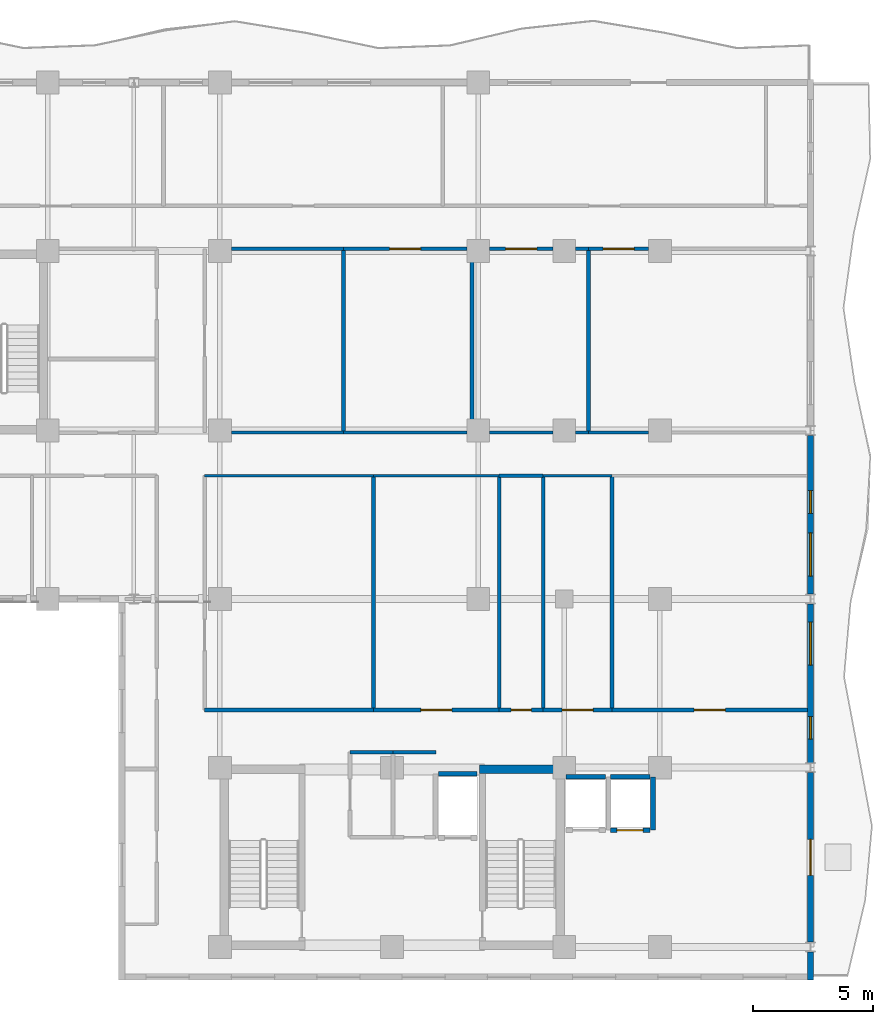
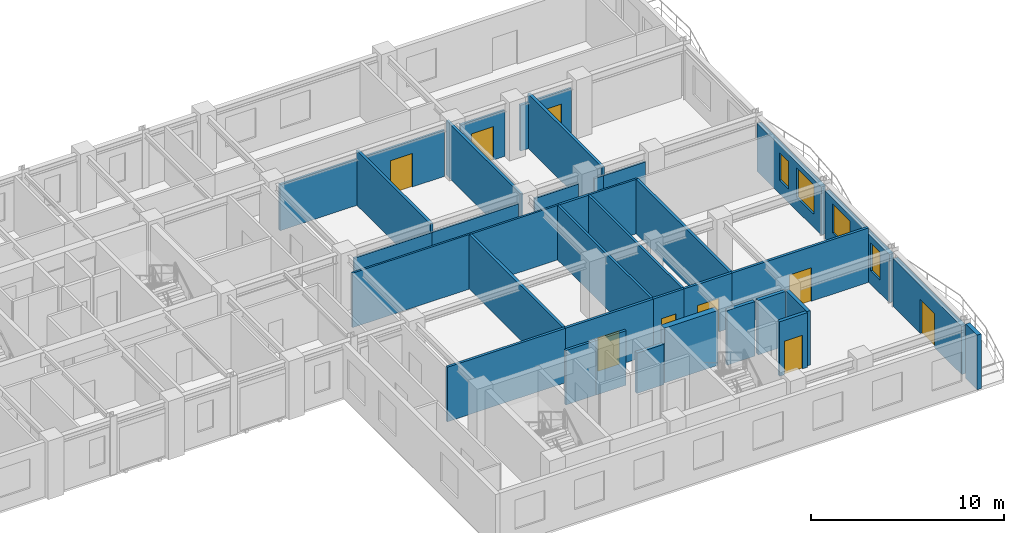
# One storey, part 8 of 13: 38 walls, 9 doors, 4 windows, 13 openings.
"""IFC4 building model written with IfcOpenShell, lengths in metres."""

from ifc_helpers import new_model, si_unit, direction, frame, frame_2d, origin, place, context, subcontext, project, spatial, rectangle, extrude, material, layer, layer_set, type_object, element, fill, save


model = new_model("IFC4")

# Units and contexts
model_context = context("Model", 3, precision=1e-05, world=origin(), true_north=direction((0.0, 1.0)))
body_context = subcontext(model_context, "Body", "Model", "MODEL_VIEW")
ifc_project = project(units=[si_unit("LENGTHUNIT", "METRE"), si_unit("AREAUNIT", "SQUARE_METRE"), si_unit("VOLUMEUNIT", "CUBIC_METRE"), si_unit("PLANEANGLEUNIT", "RADIAN"), si_unit("MASSUNIT", "GRAM", prefix="KILO")], contexts=[model_context])

# Site, building, storey
site_placement = place(None, origin())
site = spatial("IfcSite", under=ifc_project, at=site_placement, CompositionType="ELEMENT")
building_placement = place(site_placement, origin())
building = spatial("IfcBuilding", under=site, at=building_placement, Name="Kaliganga Portal Commons", CompositionType="ELEMENT")
storey_placement = place(building_placement, frame((0.0, 0.0, 212.89990234375)))
storey = spatial("IfcBuildingStorey", under=building, at=storey_placement, Name="L54", CompositionType="ELEMENT", Elevation=212.89990234375)

# Walls
ifc_material_1 = material(Name="Concrete C50/60", Category="concrete")
ifc_layer_1 = layer(ifc_material_1, 0.35009765625)
ifc_layer_set_1 = layer_set([ifc_layer_1], Name="Concrete C50/60")
wall_type_1 = type_object("IfcWallType", Name="WL-CORE-350", PredefinedType="SHEAR", material=ifc_layer_set_1)
wall_1_placement = place(storey_placement, frame((46.85009765625, 14.47509765625, 0.0), z_axis=(0.0, 0.0, 1.0), x_axis=(1.0, 0.0, 0.0)))
element("IfcWall", 1, at=wall_1_placement, inside=storey, type_object=wall_type_1, Name="Core B N-East Shear Wall L54", PredefinedType="SHEAR", context=body_context, shape_type="SweptSolid", body=[
    extrude(rectangle(XDim=3.199951171875, YDim=0.35009765625, at=frame_2d((1.60009765625, 0.0))), origin(), (0.0, 0.0, 1.0), 3.47021484375),
])
ifc_material_2 = material(Name="Insulated Aluminium-Clad Spandrel Assembly", Category="aluminium")
ifc_layer_2 = layer(ifc_material_2, 0.260009765625)
ifc_layer_set_2 = layer_set([ifc_layer_2], Name="Insulated Aluminium-Clad Spandrel Assembly")
wall_type_2 = type_object("IfcWallType", Name="WL-EXT-SPAND-260", PredefinedType="STANDARD", material=ifc_layer_set_2)
wall_2_placement = place(storey_placement, frame((60.699951171875, 6.84912109375, 0.0), z_axis=(0.0, 0.0, 1.0), x_axis=(0.0, -1.0, 0.0)))
element("IfcWall", 2, at=wall_2_placement, inside=storey, type_object=wall_type_2, Name="Exterior Envelope Wall L54 P1-E01-S1", PredefinedType="STANDARD", context=body_context, shape_type="SweptSolid", body=[
    extrude(rectangle(XDim=1.17919921875, YDim=0.260009765625, at=frame_2d((0.589599609375, 0.0))), origin(), (0.0, 0.0, 1.0), 3.4501953125),
])

# Wall, opening, door
wall_3_placement = place(storey_placement, frame((60.699951171875, 14.34912109375, 0.0), z_axis=(0.0, 0.0, 1.0), x_axis=(0.0, -1.0, 0.0)))
wall_3 = element("IfcWall", 3, at=wall_3_placement, inside=storey, type_object=wall_type_2, Name="Exterior Envelope Wall L54 P1-E01-S2", PredefinedType="STANDARD", context=body_context, shape_type="SweptSolid", body=[
    extrude(rectangle(XDim=7.09814453125, YDim=0.260009765625, at=frame_2d((3.549072265625, 0.0))), origin(), (0.0, 0.0, 1.0), 3.050048828125),
])
opening_1_placement = place(wall_3_placement, frame((2.799072265625, 0.0, 0.0)))
opening_1 = element("IfcOpeningElement", 4, at=opening_1_placement, cuts=wall_3, Name="Opening BD-01", PredefinedType="OPENING", context=body_context, shape_type="SweptSolid", body=[
    extrude(rectangle(XDim=1.5, YDim=2.14990234375, at=frame_2d((0.75, 1.074951171875))), frame((0.0, 0.14013671875, 0.0), z_axis=(0.0, -1.0, 0.0), x_axis=(1.0, 0.0, 0.0)), (0.0, 0.0, 1.0), 0.280029296875),
])
ifc_material_3 = material(Name="Anodized Aluminium and Laminated Safety Glass", Category="aluminium")
door_type_1 = type_object("IfcDoorType", Name="DR-BALC-1500", OperationType="SLIDING_TO_LEFT", PredefinedType="DOOR", material=ifc_material_3)
door_1_placement = place(opening_1_placement, origin())
door_1 = element("IfcDoor", 5, at=door_1_placement, inside=storey, type_object=door_type_1, Name="Balcony Sliding Door L54 balc_east", OperationType="SLIDING_TO_LEFT", OverallHeight=2.14990234375, OverallWidth=1.5, PredefinedType="DOOR", context=body_context, shape_type="SweptSolid", body=[
    extrude(rectangle(XDim=1.5, YDim=2.14990234375, at=frame_2d((0.75, 1.074951171875))), frame((0.0, 0.02490234375, 0.0), z_axis=(0.0, -1.0, 0.0), x_axis=(1.0, 0.0, 0.0)), (0.0, 0.0, 1.0), 0.050048828125),
])
fill(opening_1, door_1)

# Wall, openings, windows
wall_4_placement = place(storey_placement, frame((60.699951171875, 21.39892578125, 0.0), z_axis=(0.0, 0.0, 1.0), x_axis=(0.0, -1.0, 0.0)))
wall_4 = element("IfcWall", 6, at=wall_4_placement, inside=storey, type_object=wall_type_2, Name="Exterior Envelope Wall L54 P1-E01-S3", PredefinedType="STANDARD", context=body_context, shape_type="SweptSolid", body=[
    extrude(rectangle(XDim=6.64794921875, YDim=0.260009765625, at=frame_2d((3.323974609375, 0.0))), origin(), (0.0, 0.0, 1.0), 3.050048828125),
])
opening_2_placement = place(wall_4_placement, frame((0.761962890625, 0.0, 0.85009765625)))
opening_2 = element("IfcOpeningElement", 7, at=opening_2_placement, cuts=wall_4, Name="Opening W-01", PredefinedType="OPENING", context=body_context, shape_type="SweptSolid", body=[
    extrude(rectangle(XDim=1.800048828125, YDim=1.85009765625, at=frame_2d((0.89990234375, 0.925048828125))), frame((0.0, 0.14013671875, 0.0), z_axis=(0.0, -1.0, 0.0), x_axis=(1.0, 0.0, 0.0)), (0.0, 0.0, 1.0), 0.280029296875),
])
opening_3_placement = place(wall_4_placement, frame((4.71044921875, 0.0, 0.85009765625)))
opening_3 = element("IfcOpeningElement", 8, at=opening_3_placement, cuts=wall_4, Name="Opening W-04", PredefinedType="OPENING", context=body_context, shape_type="SweptSolid", body=[
    extrude(rectangle(XDim=0.949951171875, YDim=1.75, at=frame_2d((0.47509765625, 0.875))), frame((0.0, 0.14013671875, 0.0), z_axis=(0.0, -1.0, 0.0), x_axis=(1.0, 0.0, 0.0)), (0.0, 0.0, 1.0), 0.280029296875),
])
ifc_material_4 = material(Name="Thermally Broken Aluminium and Low-E Double Glazing", Category="aluminium")
window_type_1 = type_object("IfcWindowType", Name="WIN-NARROW-950", PartitioningType="SINGLE_PANEL", PredefinedType="WINDOW", material=ifc_material_4)
window_1_placement = place(opening_3_placement, origin())
window_1 = element("IfcWindow", 9, at=window_1_placement, inside=storey, type_object=window_type_1, Name="Facade Window L54-P1E01S3-N10", OverallHeight=1.75, OverallWidth=0.949951171875, PartitioningType="SINGLE_PANEL", PredefinedType="WINDOW", context=body_context, shape_type="SweptSolid", body=[
    extrude(rectangle(XDim=0.949951171875, YDim=1.75, at=frame_2d((0.47509765625, 0.875))), frame((0.0, 0.030029296875, 0.0), z_axis=(0.0, -1.0, 0.0), x_axis=(1.0, 0.0, 0.0)), (0.0, 0.0, 1.0), 0.06005859375),
])
fill(opening_3, window_1)
window_type_2 = type_object("IfcWindowType", Name="WIN-STD-1800", PartitioningType="DOUBLE_PANEL_VERTICAL", PredefinedType="WINDOW", material=ifc_material_4)
window_2_placement = place(opening_2_placement, origin())
window_2 = element("IfcWindow", 10, at=window_2_placement, inside=storey, type_object=window_type_2, Name="Facade Window L54-P1E01S3-00", OverallHeight=1.85009765625, OverallWidth=1.800048828125, PartitioningType="SINGLE_PANEL", PredefinedType="WINDOW", context=body_context, shape_type="SweptSolid", body=[
    extrude(rectangle(XDim=1.800048828125, YDim=1.85009765625, at=frame_2d((0.89990234375, 0.925048828125))), frame((0.0, 0.030029296875, 0.0), z_axis=(0.0, -1.0, 0.0), x_axis=(1.0, 0.0, 0.0)), (0.0, 0.0, 1.0), 0.06005859375),
])
fill(opening_2, window_2)

wall_5_placement = place(storey_placement, frame((60.699951171875, 28.448974609375, 0.0), z_axis=(0.0, 0.0, 1.0), x_axis=(0.0, -1.0, 0.0)))
wall_5 = element("IfcWall", 11, at=wall_5_placement, inside=storey, type_object=wall_type_2, Name="Exterior Envelope Wall L54 P1-E01-S4", PredefinedType="STANDARD", context=body_context, shape_type="SweptSolid", body=[
    extrude(rectangle(XDim=6.64794921875, YDim=0.260009765625, at=frame_2d((3.323974609375, 0.0))), origin(), (0.0, 0.0, 1.0), 3.050048828125),
])
opening_4_placement = place(wall_5_placement, frame((4.0859375, 0.0, 0.85009765625)))
opening_4 = element("IfcOpeningElement", 12, at=opening_4_placement, cuts=wall_5, Name="Opening W-01", PredefinedType="OPENING", context=body_context, shape_type="SweptSolid", body=[
    extrude(rectangle(XDim=1.800048828125, YDim=1.85009765625, at=frame_2d((0.89990234375, 0.925048828125))), frame((0.0, 0.14013671875, 0.0), z_axis=(0.0, -1.0, 0.0), x_axis=(1.0, 0.0, 0.0)), (0.0, 0.0, 1.0), 0.280029296875),
])
opening_5_placement = place(wall_5_placement, frame((2.317138671875, 0.0, 0.85009765625)))
opening_5 = element("IfcOpeningElement", 13, at=opening_5_placement, cuts=wall_5, Name="Opening W-04", PredefinedType="OPENING", context=body_context, shape_type="SweptSolid", body=[
    extrude(rectangle(XDim=0.949951171875, YDim=1.75, at=frame_2d((0.47509765625, 0.875))), frame((0.0, 0.14013671875, 0.0), z_axis=(0.0, -1.0, 0.0), x_axis=(1.0, 0.0, 0.0)), (0.0, 0.0, 1.0), 0.280029296875),
])
window_3_placement = place(opening_5_placement, origin())
window_3 = element("IfcWindow", 14, at=window_3_placement, inside=storey, type_object=window_type_1, Name="Facade Window L54-P1E01S4-N5", OverallHeight=1.75, OverallWidth=0.949951171875, PartitioningType="SINGLE_PANEL", PredefinedType="WINDOW", context=body_context, shape_type="SweptSolid", body=[
    extrude(rectangle(XDim=0.949951171875, YDim=1.75, at=frame_2d((0.47509765625, 0.875))), frame((0.0, 0.030029296875, 0.0), z_axis=(0.0, -1.0, 0.0), x_axis=(1.0, 0.0, 0.0)), (0.0, 0.0, 1.0), 0.06005859375),
])
fill(opening_5, window_3)
window_4_placement = place(opening_4_placement, origin())
window_4 = element("IfcWindow", 15, at=window_4_placement, inside=storey, type_object=window_type_2, Name="Facade Window L54-P1E01S4-01", OverallHeight=1.85009765625, OverallWidth=1.800048828125, PartitioningType="SINGLE_PANEL", PredefinedType="WINDOW", context=body_context, shape_type="SweptSolid", body=[
    extrude(rectangle(XDim=1.800048828125, YDim=1.85009765625, at=frame_2d((0.89990234375, 0.925048828125))), frame((0.0, 0.030029296875, 0.0), z_axis=(0.0, -1.0, 0.0), x_axis=(1.0, 0.0, 0.0)), (0.0, 0.0, 1.0), 0.06005859375),
])
fill(opening_4, window_4)

# Wall, opening, door
ifc_material_5 = material(Name="Fire-Rated Gypsum Board on Steel Stud", Category="steel")
ifc_layer_3 = layer(ifc_material_5, 0.14990234375)
ifc_layer_set_3 = layer_set([ifc_layer_3], Name="Fire-Rated Gypsum Board on Steel Stud")
wall_type_3 = type_object("IfcWallType", Name="WL-PART-CORR-150", PredefinedType="PARTITIONING", material=ifc_layer_set_3)
wall_6_placement = place(storey_placement, frame((51.419921875, 36.239990234375, 0.0), z_axis=(0.0, 0.0, 1.0), x_axis=(1.0, 0.0, 0.0)))
wall_6 = element("IfcWall", 16, at=wall_6_placement, inside=storey, type_object=wall_type_3, Name="Interior Partition L54-009", PredefinedType="PARTITIONING", context=body_context, shape_type="SweptSolid", body=[
    extrude(rectangle(XDim=2.505126953125, YDim=0.14990234375, at=frame_2d((1.25244140625, 0.0))), origin(), (0.0, 0.0, 1.0), 2.900146484375),
])
opening_6_placement = place(wall_6_placement, frame((0.6025390625, 0.0, 0.0)))
opening_6 = element("IfcOpeningElement", 17, at=opening_6_placement, cuts=wall_6, Name="Opening RD-03", PredefinedType="OPENING", context=body_context, shape_type="SweptSolid", body=[
    extrude(rectangle(XDim=1.300048828125, YDim=2.1201171875, at=frame_2d((0.64990234375, 1.06005859375))), frame((0.0, 0.0849609375, 0.0), z_axis=(0.0, -1.0, 0.0), x_axis=(1.0, 0.0, 0.0)), (0.0, 0.0, 1.0), 0.169921875),
])
ifc_material_6 = material(Name="Glazed Timber Seminar Vision Door", Category="wood")
door_type_2 = type_object("IfcDoorType", Name="DR-STUDY-1300", OperationType="DOUBLE_DOOR_SINGLE_SWING", PredefinedType="DOOR", material=ifc_material_6)
door_2_placement = place(opening_6_placement, origin())
door_2 = element("IfcDoor", 18, at=door_2_placement, inside=storey, type_object=door_type_2, Name="Interior Door L54-BK04", OperationType="DOUBLE_DOOR_SINGLE_SWING", OverallHeight=2.1201171875, OverallWidth=1.300048828125, PredefinedType="DOOR", context=body_context, shape_type="SweptSolid", body=[
    extrude(rectangle(XDim=1.300048828125, YDim=2.1201171875, at=frame_2d((0.64990234375, 1.06005859375))), frame((0.0, 0.02490234375, 0.0), z_axis=(0.0, -1.0, 0.0), x_axis=(1.0, 0.0, 0.0)), (0.0, 0.0, 1.0), 0.050048828125),
])
fill(opening_6, door_2)

wall_7_placement = place(storey_placement, frame((52.39990234375, 16.9599609375, 0.0), z_axis=(0.0, 0.0, 1.0), x_axis=(1.0, 0.0, 0.0)))
wall_7 = element("IfcWall", 19, at=wall_7_placement, inside=storey, type_object=wall_type_3, Name="Interior Partition L54-012", PredefinedType="PARTITIONING", context=body_context, shape_type="SweptSolid", body=[
    extrude(rectangle(XDim=8.168212890625, YDim=0.14990234375, at=frame_2d((4.083984375, 0.0))), origin(), (0.0, 0.0, 1.0), 3.4501953125),
])
opening_7_placement = place(wall_7_placement, frame((3.43408203125, 0.0, 0.0)))
opening_7 = element("IfcOpeningElement", 20, at=opening_7_placement, cuts=wall_7, Name="Opening RD-03", PredefinedType="OPENING", context=body_context, shape_type="SweptSolid", body=[
    extrude(rectangle(XDim=1.300048828125, YDim=2.1201171875, at=frame_2d((0.64990234375, 1.06005859375))), frame((0.0, 0.0849609375, 0.0), z_axis=(0.0, -1.0, 0.0), x_axis=(1.0, 0.0, 0.0)), (0.0, 0.0, 1.0), 0.169921875),
])
door_3_placement = place(opening_7_placement, origin())
door_3 = element("IfcDoor", 21, at=door_3_placement, inside=storey, type_object=door_type_2, Name="Interior Door L54-BM04B", OperationType="DOUBLE_DOOR_SINGLE_SWING", OverallHeight=2.1201171875, OverallWidth=1.300048828125, PredefinedType="DOOR", context=body_context, shape_type="SweptSolid", body=[
    extrude(rectangle(XDim=1.300048828125, YDim=2.1201171875, at=frame_2d((0.64990234375, 1.06005859375))), frame((0.0, 0.02490234375, 0.0), z_axis=(0.0, -1.0, 0.0), x_axis=(1.0, 0.0, 0.0)), (0.0, 0.0, 1.0), 0.050048828125),
])
fill(opening_7, door_3)

# Walls
wall_8_placement = place(storey_placement, frame((35.360107421875, 16.9599609375, 0.0), z_axis=(0.0, 0.0, 1.0), x_axis=(1.0, 0.0, 0.0)))
element("IfcWall", 22, at=wall_8_placement, inside=storey, type_object=wall_type_3, Name="Interior Partition L54-016", PredefinedType="PARTITIONING", context=body_context, shape_type="SweptSolid", body=[
    extrude(rectangle(XDim=7.059814453125, YDim=0.14990234375, at=frame_2d((3.52978515625, 0.0))), origin(), (0.0, 0.0, 1.0), 3.4501953125),
])
wall_9_placement = place(storey_placement, frame((36.47509765625, 36.239990234375, 0.0), z_axis=(0.0, 0.0, 1.0), x_axis=(1.0, 0.0, 0.0)))
element("IfcWall", 23, at=wall_9_placement, inside=storey, type_object=wall_type_3, Name="Interior Partition L54-020", PredefinedType="PARTITIONING", context=body_context, shape_type="SweptSolid", body=[
    extrude(rectangle(XDim=4.684814453125, YDim=0.14990234375, at=frame_2d((2.34228515625, 0.0))), origin(), (0.0, 0.0, 1.0), 2.900146484375),
])

# Wall, opening, door
wall_10_placement = place(storey_placement, frame((41.159912109375, 36.239990234375, 0.0), z_axis=(0.0, 0.0, 1.0), x_axis=(1.0, 0.0, 0.0)))
wall_10 = element("IfcWall", 24, at=wall_10_placement, inside=storey, type_object=wall_type_3, Name="Interior Partition L54-022", PredefinedType="PARTITIONING", context=body_context, shape_type="SweptSolid", body=[
    extrude(rectangle(XDim=5.1650390625, YDim=0.14990234375, at=frame_2d((2.58251953125, 0.0))), origin(), (0.0, 0.0, 1.0), 2.900146484375),
])
opening_8_placement = place(wall_10_placement, frame((1.9326171875, 0.0, 0.0)))
opening_8 = element("IfcOpeningElement", 25, at=opening_8_placement, cuts=wall_10, Name="Opening RD-03", PredefinedType="OPENING", context=body_context, shape_type="SweptSolid", body=[
    extrude(rectangle(XDim=1.300048828125, YDim=2.1201171875, at=frame_2d((0.64990234375, 1.06005859375))), frame((0.0, 0.0849609375, 0.0), z_axis=(0.0, -1.0, 0.0), x_axis=(1.0, 0.0, 0.0)), (0.0, 0.0, 1.0), 0.169921875),
])
door_4_placement = place(opening_8_placement, origin())
door_4 = element("IfcDoor", 26, at=door_4_placement, inside=storey, type_object=door_type_2, Name="Interior Door L54-BK02", OperationType="DOUBLE_DOOR_SINGLE_SWING", OverallHeight=2.1201171875, OverallWidth=1.300048828125, PredefinedType="DOOR", context=body_context, shape_type="SweptSolid", body=[
    extrude(rectangle(XDim=1.300048828125, YDim=2.1201171875, at=frame_2d((0.64990234375, 1.06005859375))), frame((0.0, 0.02490234375, 0.0), z_axis=(0.0, -1.0, 0.0), x_axis=(1.0, 0.0, 0.0)), (0.0, 0.0, 1.0), 0.050048828125),
])
fill(opening_8, door_4)

wall_11_placement = place(storey_placement, frame((42.419921875, 16.9599609375, 0.0), z_axis=(0.0, 0.0, 1.0), x_axis=(1.0, 0.0, 0.0)))
wall_11 = element("IfcWall", 27, at=wall_11_placement, inside=storey, type_object=wall_type_3, Name="Interior Partition L54-023", PredefinedType="PARTITIONING", context=body_context, shape_type="SweptSolid", body=[
    extrude(rectangle(XDim=5.260009765625, YDim=0.14990234375, at=frame_2d((2.6298828125, 0.0))), origin(), (0.0, 0.0, 1.0), 3.4501953125),
])
opening_9_placement = place(wall_11_placement, frame((1.97998046875, 0.0, 0.0)))
opening_9 = element("IfcOpeningElement", 28, at=opening_9_placement, cuts=wall_11, Name="Opening RD-03", PredefinedType="OPENING", context=body_context, shape_type="SweptSolid", body=[
    extrude(rectangle(XDim=1.300048828125, YDim=2.1201171875, at=frame_2d((0.64990234375, 1.06005859375))), frame((0.0, 0.0849609375, 0.0), z_axis=(0.0, -1.0, 0.0), x_axis=(1.0, 0.0, 0.0)), (0.0, 0.0, 1.0), 0.169921875),
])
door_5_placement = place(opening_9_placement, origin())
door_5 = element("IfcDoor", 29, at=door_5_placement, inside=storey, type_object=door_type_2, Name="Interior Door L54-BM02", OperationType="DOUBLE_DOOR_SINGLE_SWING", OverallHeight=2.1201171875, OverallWidth=1.300048828125, PredefinedType="DOOR", context=body_context, shape_type="SweptSolid", body=[
    extrude(rectangle(XDim=1.300048828125, YDim=2.1201171875, at=frame_2d((0.64990234375, 1.06005859375))), frame((0.0, 0.02490234375, 0.0), z_axis=(0.0, -1.0, 0.0), x_axis=(1.0, 0.0, 0.0)), (0.0, 0.0, 1.0), 0.050048828125),
])
fill(opening_9, door_5)

wall_12_placement = place(storey_placement, frame((47.27490234375, 36.239990234375, 0.0), z_axis=(0.0, 0.0, 1.0), x_axis=(1.0, 0.0, 0.0)))
wall_12 = element("IfcWall", 30, at=wall_12_placement, inside=storey, type_object=wall_type_3, Name="Interior Partition L54-026", PredefinedType="PARTITIONING", context=body_context, shape_type="SweptSolid", body=[
    extrude(rectangle(XDim=2.650146484375, YDim=0.14990234375, at=frame_2d((1.3251953125, 0.0))), origin(), (0.0, 0.0, 1.0), 2.900146484375),
])
opening_10_placement = place(wall_12_placement, frame((0.675048828125, 0.0, 0.0)))
opening_10 = element("IfcOpeningElement", 31, at=opening_10_placement, cuts=wall_12, Name="Opening RD-03", PredefinedType="OPENING", context=body_context, shape_type="SweptSolid", body=[
    extrude(rectangle(XDim=1.300048828125, YDim=2.1201171875, at=frame_2d((0.64990234375, 1.06005859375))), frame((0.0, 0.0849609375, 0.0), z_axis=(0.0, -1.0, 0.0), x_axis=(1.0, 0.0, 0.0)), (0.0, 0.0, 1.0), 0.169921875),
])
door_6_placement = place(opening_10_placement, origin())
door_6 = element("IfcDoor", 32, at=door_6_placement, inside=storey, type_object=door_type_2, Name="Interior Door L54-BK03", OperationType="DOUBLE_DOOR_SINGLE_SWING", OverallHeight=2.1201171875, OverallWidth=1.300048828125, PredefinedType="DOOR", context=body_context, shape_type="SweptSolid", body=[
    extrude(rectangle(XDim=1.300048828125, YDim=2.1201171875, at=frame_2d((0.64990234375, 1.06005859375))), frame((0.0, 0.02490234375, 0.0), z_axis=(0.0, -1.0, 0.0), x_axis=(1.0, 0.0, 0.0)), (0.0, 0.0, 1.0), 0.050048828125),
])
fill(opening_10, door_6)

# Wall
wall_13_placement = place(storey_placement, frame((50.875, 36.239990234375, 0.0), z_axis=(0.0, 0.0, 1.0), x_axis=(1.0, 0.0, 0.0)))
element("IfcWall", 33, at=wall_13_placement, inside=storey, type_object=wall_type_3, Name="Interior Partition L54-027", PredefinedType="PARTITIONING", context=body_context, shape_type="SweptSolid", body=[
    extrude(rectangle(XDim=0.544921875, YDim=0.14990234375, at=frame_2d((0.2724609375, 0.0))), origin(), (0.0, 0.0, 1.0), 2.900146484375),
])

# Wall, opening, door
wall_14_placement = place(storey_placement, frame((49.52001953125, 16.9599609375, 0.0), z_axis=(0.0, 0.0, 1.0), x_axis=(1.0, 0.0, 0.0)))
wall_14 = element("IfcWall", 34, at=wall_14_placement, inside=storey, type_object=wall_type_3, Name="Interior Partition L54-034", PredefinedType="PARTITIONING", context=body_context, shape_type="SweptSolid", body=[
    extrude(rectangle(XDim=2.8798828125, YDim=0.14990234375, at=frame_2d((1.43994140625, 0.0))), origin(), (0.0, 0.0, 1.0), 3.4501953125),
])
opening_11_placement = place(wall_14_placement, frame((0.7900390625, 0.0, 0.0)))
opening_11 = element("IfcOpeningElement", 35, at=opening_11_placement, cuts=wall_14, Name="Opening RD-03", PredefinedType="OPENING", context=body_context, shape_type="SweptSolid", body=[
    extrude(rectangle(XDim=1.300048828125, YDim=2.1201171875, at=frame_2d((0.64990234375, 1.06005859375))), frame((0.0, 0.0849609375, 0.0), z_axis=(0.0, -1.0, 0.0), x_axis=(1.0, 0.0, 0.0)), (0.0, 0.0, 1.0), 0.169921875),
])
door_7_placement = place(opening_11_placement, origin())
door_7 = element("IfcDoor", 36, at=door_7_placement, inside=storey, type_object=door_type_2, Name="Interior Door L54-BM04", OperationType="DOUBLE_DOOR_SINGLE_SWING", OverallHeight=2.1201171875, OverallWidth=1.300048828125, PredefinedType="DOOR", context=body_context, shape_type="SweptSolid", body=[
    extrude(rectangle(XDim=1.300048828125, YDim=2.1201171875, at=frame_2d((0.64990234375, 1.06005859375))), frame((0.0, 0.02490234375, 0.0), z_axis=(0.0, -1.0, 0.0), x_axis=(1.0, 0.0, 0.0)), (0.0, 0.0, 1.0), 0.050048828125),
])
fill(opening_11, door_7)

wall_15_placement = place(storey_placement, frame((47.679931640625, 16.9599609375, 0.0), z_axis=(0.0, 0.0, 1.0), x_axis=(1.0, 0.0, 0.0)))
wall_15 = element("IfcWall", 37, at=wall_15_placement, inside=storey, type_object=wall_type_3, Name="Interior Partition L54-043", PredefinedType="PARTITIONING", context=body_context, shape_type="SweptSolid", body=[
    extrude(rectangle(XDim=1.840087890625, YDim=0.14990234375, at=frame_2d((0.919921875, 0.0))), origin(), (0.0, 0.0, 1.0), 3.4501953125),
])
opening_12_placement = place(wall_15_placement, frame((0.4951171875, 0.0, 0.0)))
opening_12 = element("IfcOpeningElement", 38, at=opening_12_placement, cuts=wall_15, Name="Opening WD-01", PredefinedType="OPENING", context=body_context, shape_type="SweptSolid", body=[
    extrude(rectangle(XDim=0.85009765625, YDim=2.0400390625, at=frame_2d((0.425048828125, 1.02001953125))), frame((0.0, 0.0849609375, 0.0), z_axis=(0.0, -1.0, 0.0), x_axis=(1.0, 0.0, 0.0)), (0.0, 0.0, 1.0), 0.169921875),
])
ifc_material_7 = material(Name="Moisture-Resistant Laminate Timber Door", Category="wood")
door_type_3 = type_object("IfcDoorType", Name="DR-WET-850", OperationType="NOTDEFINED", PredefinedType="DOOR", material=ifc_material_7)
door_8_placement = place(opening_12_placement, origin())
door_8 = element("IfcDoor", 39, at=door_8_placement, inside=storey, type_object=door_type_3, Name="Interior Door L54-BM03", OperationType="SINGLE_SWING_LEFT", OverallHeight=2.0400390625, OverallWidth=0.85009765625, PredefinedType="DOOR", context=body_context, shape_type="SweptSolid", body=[
    extrude(rectangle(XDim=0.85009765625, YDim=2.0400390625, at=frame_2d((0.425048828125, 1.02001953125))), frame((0.0, 0.02490234375, 0.0), z_axis=(0.0, -1.0, 0.0), x_axis=(1.0, 0.0, 0.0)), (0.0, 0.0, 1.0), 0.050048828125),
])
fill(opening_12, door_8)

# Walls
for number, where, z_axis, x_axis, name in (
    (40, (41.43994140625, 15.199951171875, 0.0), (0.0, 0.0, 1.0), (1.0, 0.0, 0.0), "Interior Partition L54-045"),
    (41, (43.239990234375, 15.199951171875, 0.0), (0.0, 0.0, 1.0), (1.0, 0.0, 0.0), "Interior Partition L54-047"),
):
    element("IfcWall", number, at=place(storey_placement, frame(where, z_axis=z_axis, x_axis=x_axis)), inside=storey, type_object=wall_type_3, Name=name, PredefinedType="PARTITIONING", context=body_context, shape_type="SweptSolid", body=[
        extrude(rectangle(XDim=1.800048828125, YDim=0.14990234375, at=frame_2d((0.89990234375, 0.0))), origin(), (0.0, 0.0, 1.0), 3.4501953125),
    ])
ifc_material_8 = material(Name="Moisture-Resistant Gypsum Partition", Category="gypsum")
ifc_layer_4 = layer(ifc_material_8, 0.114990234375)
ifc_layer_set_4 = layer_set([ifc_layer_4], Name="Moisture-Resistant Gypsum Partition")
wall_type_4 = type_object("IfcWallType", Name="WL-PART-ROOM-115", PredefinedType="PARTITIONING", material=ifc_layer_set_4)
wall_16_placement = place(storey_placement, frame((51.419921875, 28.56005859375, 0.0), z_axis=(0.0, 0.0, 1.0), x_axis=(1.0, 0.0, 0.0)))
element("IfcWall", 42, at=wall_16_placement, inside=storey, type_object=wall_type_4, Name="Interior Partition L54-053", PredefinedType="PARTITIONING", context=body_context, shape_type="SweptSolid", body=[
    extrude(rectangle(XDim=2.505126953125, YDim=0.114990234375, at=frame_2d((1.25244140625, 0.0))), origin(), (0.0, 0.0, 1.0), 2.900146484375),
])
wall_17_placement = place(storey_placement, frame((35.360107421875, 26.760009765625, 0.0), z_axis=(0.0, 0.0, 1.0), x_axis=(1.0, 0.0, 0.0)))
element("IfcWall", 43, at=wall_17_placement, inside=storey, type_object=wall_type_4, Name="Interior Partition L54-059", PredefinedType="PARTITIONING", context=body_context, shape_type="SweptSolid", body=[
    extrude(rectangle(XDim=7.059814453125, YDim=0.114990234375, at=frame_2d((3.52978515625, 0.0))), origin(), (0.0, 0.0, 1.0), 3.4501953125),
])
wall_18_placement = place(storey_placement, frame((36.47509765625, 28.56005859375, 0.0), z_axis=(0.0, 0.0, 1.0), x_axis=(1.0, 0.0, 0.0)))
element("IfcWall", 44, at=wall_18_placement, inside=storey, type_object=wall_type_4, Name="Interior Partition L54-060", PredefinedType="PARTITIONING", context=body_context, shape_type="SweptSolid", body=[
    extrude(rectangle(XDim=4.684814453125, YDim=0.114990234375, at=frame_2d((2.34228515625, 0.0))), origin(), (0.0, 0.0, 1.0), 2.900146484375),
])
wall_19_placement = place(storey_placement, frame((41.159912109375, 28.56005859375, 0.0), z_axis=(0.0, 0.0, 1.0), x_axis=(1.0, 0.0, 0.0)))
element("IfcWall", 45, at=wall_19_placement, inside=storey, type_object=wall_type_4, Name="Interior Partition L54-061", PredefinedType="PARTITIONING", context=body_context, shape_type="SweptSolid", body=[
    extrude(rectangle(XDim=5.1650390625, YDim=0.114990234375, at=frame_2d((2.58251953125, 0.0))), origin(), (0.0, 0.0, 1.0), 2.900146484375),
])
wall_20_placement = place(storey_placement, frame((42.419921875, 26.760009765625, 0.0), z_axis=(0.0, 0.0, 1.0), x_axis=(1.0, 0.0, 0.0)))
element("IfcWall", 46, at=wall_20_placement, inside=storey, type_object=wall_type_4, Name="Interior Partition L54-062", PredefinedType="PARTITIONING", context=body_context, shape_type="SweptSolid", body=[
    extrude(rectangle(XDim=5.260009765625, YDim=0.114990234375, at=frame_2d((2.6298828125, 0.0))), origin(), (0.0, 0.0, 1.0), 3.4501953125),
])
wall_21_placement = place(storey_placement, frame((47.27490234375, 28.56005859375, 0.0), z_axis=(0.0, 0.0, 1.0), x_axis=(1.0, 0.0, 0.0)))
element("IfcWall", 47, at=wall_21_placement, inside=storey, type_object=wall_type_4, Name="Interior Partition L54-072", PredefinedType="PARTITIONING", context=body_context, shape_type="SweptSolid", body=[
    extrude(rectangle(XDim=2.650146484375, YDim=0.114990234375, at=frame_2d((1.3251953125, 0.0))), origin(), (0.0, 0.0, 1.0), 2.900146484375),
])
wall_22_placement = place(storey_placement, frame((50.875, 28.56005859375, 0.0), z_axis=(0.0, 0.0, 1.0), x_axis=(1.0, 0.0, 0.0)))
element("IfcWall", 48, at=wall_22_placement, inside=storey, type_object=wall_type_4, Name="Interior Partition L54-073", PredefinedType="PARTITIONING", context=body_context, shape_type="SweptSolid", body=[
    extrude(rectangle(XDim=0.544921875, YDim=0.114990234375, at=frame_2d((0.2724609375, 0.0))), origin(), (0.0, 0.0, 1.0), 2.900146484375),
])
wall_23_placement = place(storey_placement, frame((49.52001953125, 26.760009765625, 0.0), z_axis=(0.0, 0.0, 1.0), x_axis=(1.0, 0.0, 0.0)))
element("IfcWall", 49, at=wall_23_placement, inside=storey, type_object=wall_type_4, Name="Interior Partition L54-077", PredefinedType="PARTITIONING", context=body_context, shape_type="SweptSolid", body=[
    extrude(rectangle(XDim=2.8798828125, YDim=0.114990234375, at=frame_2d((1.43994140625, 0.0))), origin(), (0.0, 0.0, 1.0), 3.4501953125),
])
ifc_material_9 = material(Name="Twin-Stud Acoustic Gypsum Partition", Category="gypsum")
ifc_layer_5 = layer(ifc_material_9, 0.1650390625)
ifc_layer_set_5 = layer_set([ifc_layer_5], Name="Twin-Stud Acoustic Gypsum Partition")
wall_type_5 = type_object("IfcWallType", Name="WL-PART-UNIT-165", PredefinedType="PARTITIONING", material=ifc_layer_set_5)
for number, where, z_axis, x_axis, name in (
    (50, (42.419921875, 16.9599609375, 0.0), (0.0, 0.0, 1.0), (0.0, 1.0, 0.0), "Interior Partition L54-049"),
    (51, (52.39990234375, 16.9599609375, 0.0), (0.0, 0.0, 1.0), (0.0, 1.0, 0.0), "Interior Partition L54-052"),
):
    element("IfcWall", number, at=place(storey_placement, frame(where, z_axis=z_axis, x_axis=x_axis)), inside=storey, type_object=wall_type_5, Name=name, PredefinedType="PARTITIONING", context=body_context, shape_type="SweptSolid", body=[
        extrude(rectangle(XDim=9.800048828125, YDim=0.1650390625, at=frame_2d((4.89990234375, 0.0))), origin(), (0.0, 0.0, 1.0), 3.4501953125),
    ])
for number, where, z_axis, x_axis, name in (
    (52, (41.159912109375, 28.56005859375, 0.0), (0.0, 0.0, 1.0), (0.0, 1.0, 0.0), "Interior Partition L54-056"),
    (53, (46.5400390625, 28.56005859375, 0.0), (0.0, 0.0, 1.0), (0.0, 1.0, 0.0), "Interior Partition L54-057"),
    (54, (51.419921875, 28.56005859375, 0.0), (0.0, 0.0, 1.0), (0.0, 1.0, 0.0), "Interior Partition L54-058"),
):
    element("IfcWall", number, at=place(storey_placement, frame(where, z_axis=z_axis, x_axis=x_axis)), inside=storey, type_object=wall_type_5, Name=name, PredefinedType="PARTITIONING", context=body_context, shape_type="SweptSolid", body=[
        extrude(rectangle(XDim=7.679931640625, YDim=0.1650390625, at=frame_2d((3.83984375, 0.0))), origin(), (0.0, 0.0, 1.0), 3.4501953125),
    ])
ifc_material_10 = material(Name="Cement-Board Wet-Room Partition", Category="gypsum")
ifc_layer_6 = layer(ifc_material_10, 0.135009765625)
ifc_layer_set_6 = layer_set([ifc_layer_6], Name="Cement-Board Wet-Room Partition")
wall_type_6 = type_object("IfcWallType", Name="WL-PART-WET-135", PredefinedType="PARTITIONING", material=ifc_layer_set_6)
for number, where, z_axis, x_axis, name in (
    (55, (47.679931640625, 16.9599609375, 0.0), (0.0, 0.0, 1.0), (0.0, 1.0, 0.0), "Interior Partition L54-050"),
    (56, (49.52001953125, 16.9599609375, 0.0), (0.0, 0.0, 1.0), (0.0, 1.0, 0.0), "Interior Partition L54-051"),
):
    element("IfcWall", number, at=place(storey_placement, frame(where, z_axis=z_axis, x_axis=x_axis)), inside=storey, type_object=wall_type_6, Name=name, PredefinedType="PARTITIONING", context=body_context, shape_type="SweptSolid", body=[
        extrude(rectangle(XDim=9.800048828125, YDim=0.135009765625, at=frame_2d((4.89990234375, 0.0))), origin(), (0.0, 0.0, 1.0), 3.4501953125),
    ])
wall_24_placement = place(storey_placement, frame((47.679931640625, 26.760009765625, 0.0), z_axis=(0.0, 0.0, 1.0), x_axis=(1.0, 0.0, 0.0)))
element("IfcWall", 57, at=wall_24_placement, inside=storey, type_object=wall_type_6, Name="Interior Partition L54-079", PredefinedType="PARTITIONING", context=body_context, shape_type="SweptSolid", body=[
    extrude(rectangle(XDim=1.840087890625, YDim=0.135009765625, at=frame_2d((0.919921875, 0.0))), origin(), (0.0, 0.0, 1.0), 3.4501953125),
])
ifc_material_11 = material(Name="Fire-Rated Shaftwall Masonry Assembly", Category="masonry")
ifc_layer_7 = layer(ifc_material_11, 0.199951171875)
ifc_layer_set_7 = layer_set([ifc_layer_7], Name="Fire-Rated Shaftwall Masonry Assembly")
wall_type_7 = type_object("IfcWallType", Name="WL-SHAFT-200", PredefinedType="PARTITIONING", material=ifc_layer_set_7)
wall_25_placement = place(storey_placement, frame((50.47509765625, 14.1650390625, 0.0), z_axis=(0.0, 0.0, 1.0), x_axis=(1.0, 0.0, 0.0)))
element("IfcWall", 58, at=wall_25_placement, inside=storey, type_object=wall_type_7, Name="Lift PL-B3 Hoistway Shaft Wall L54-N", PredefinedType="PARTITIONING", context=body_context, shape_type="SweptSolid", body=[
    extrude(rectangle(XDim=1.64990234375, YDim=0.199951171875, at=frame_2d((0.824951171875, 0.0))), origin(), (0.0, 0.0, 1.0), 3.4501953125),
])

# Wall, opening, door
wall_26_placement = place(storey_placement, frame((52.324951171875, 11.93505859375, 0.0), z_axis=(0.0, 0.0, 1.0), x_axis=(1.0, 0.0, 0.0)))
wall_26 = element("IfcWall", 59, at=wall_26_placement, inside=storey, type_object=wall_type_7, Name="Lift PL-B4 Hoistway Shaft Wall L54-S", PredefinedType="PARTITIONING", context=body_context, shape_type="SweptSolid", body=[
    extrude(rectangle(XDim=1.650146484375, YDim=0.199951171875, at=frame_2d((0.8251953125, 0.0))), origin(), (0.0, 0.0, 1.0), 3.4501953125),
])
opening_13_placement = place(wall_26_placement, frame((0.27490234375, 0.0, 0.0)))
opening_13 = element("IfcOpeningElement", 60, at=opening_13_placement, cuts=wall_26, Name="Opening LD-01", PredefinedType="OPENING", context=body_context, shape_type="SweptSolid", body=[
    extrude(rectangle(XDim=1.10009765625, YDim=2.1201171875, at=frame_2d((0.550048828125, 1.06005859375))), frame((0.0, 0.10986328125, 0.0), z_axis=(0.0, -1.0, 0.0), x_axis=(1.0, 0.0, 0.0)), (0.0, 0.0, 1.0), 0.219970703125),
])
ifc_material_12 = material(Name="Brushed Stainless Steel 316 Lift Landing Door", Category="steel")
door_type_4 = type_object("IfcDoorType", Name="DR-LIFT-1100", OperationType="SLIDING_TO_LEFT", PredefinedType="DOOR", material=ifc_material_12)
door_9_placement = place(opening_13_placement, origin())
door_9 = element("IfcDoor", 61, at=door_9_placement, inside=storey, type_object=door_type_4, Name="Lift PL-B4 Sliding Landing Door L54", OperationType="SLIDING_TO_LEFT", OverallHeight=2.1201171875, OverallWidth=1.10009765625, PredefinedType="DOOR", context=body_context, shape_type="SweptSolid", body=[
    extrude(rectangle(XDim=1.10009765625, YDim=2.1201171875, at=frame_2d((0.550048828125, 1.06005859375))), frame((0.0, 0.02490234375, 0.0), z_axis=(0.0, -1.0, 0.0), x_axis=(1.0, 0.0, 0.0)), (0.0, 0.0, 1.0), 0.050048828125),
])
fill(opening_13, door_9)

# Walls
wall_27_placement = place(storey_placement, frame((52.324951171875, 14.1650390625, 0.0), z_axis=(0.0, 0.0, 1.0), x_axis=(1.0, 0.0, 0.0)))
element("IfcWall", 62, at=wall_27_placement, inside=storey, type_object=wall_type_7, Name="Lift PL-B4 Hoistway Shaft Wall L54-N", PredefinedType="PARTITIONING", context=body_context, shape_type="SweptSolid", body=[
    extrude(rectangle(XDim=1.650146484375, YDim=0.199951171875, at=frame_2d((0.8251953125, 0.0))), origin(), (0.0, 0.0, 1.0), 3.4501953125),
])
wall_28_placement = place(storey_placement, frame((54.114990234375, 11.93505859375, 0.0), z_axis=(0.0, 0.0, 1.0), x_axis=(0.0, 1.0, 0.0)))
element("IfcWall", 63, at=wall_28_placement, inside=storey, type_object=wall_type_7, Name="Lift PL-B4 Hoistway Shaft Wall L54-E", PredefinedType="PARTITIONING", context=body_context, shape_type="SweptSolid", body=[
    extrude(rectangle(XDim=2.22998046875, YDim=0.199951171875, at=frame_2d((1.114990234375, 0.0))), origin(), (0.0, 0.0, 1.0), 3.4501953125),
])
wall_29_placement = place(storey_placement, frame((45.14990234375, 14.2900390625, 0.0), z_axis=(0.0, 0.0, 1.0), x_axis=(1.0, 0.0, 0.0)))
element("IfcWall", 64, at=wall_29_placement, inside=storey, type_object=wall_type_7, Name="Lift SL-B1 Hoistway Shaft Wall L54-N", PredefinedType="PARTITIONING", context=body_context, shape_type="SweptSolid", body=[
    extrude(rectangle(XDim=1.60009765625, YDim=0.199951171875, at=frame_2d((0.800048828125, 0.0))), origin(), (0.0, 0.0, 1.0), 2.550048828125),
])

save(model, "model.ifc")
